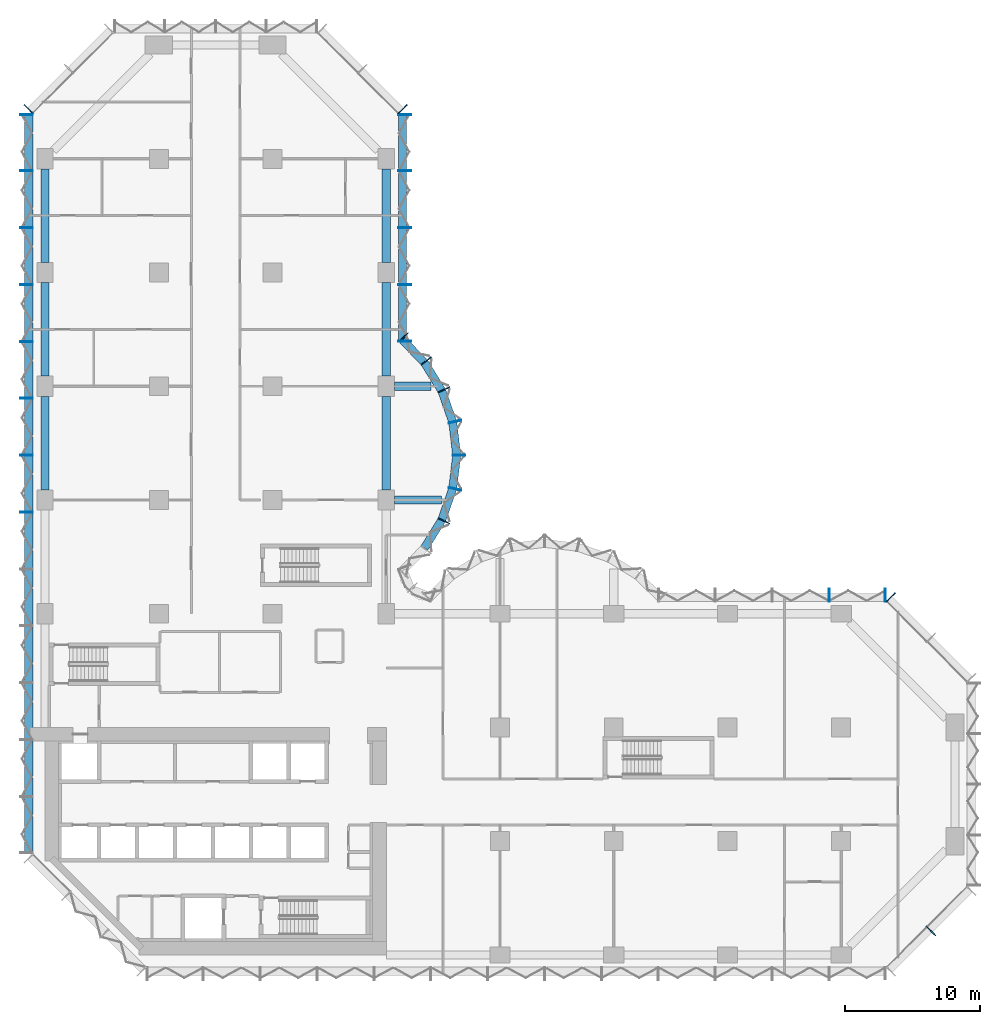
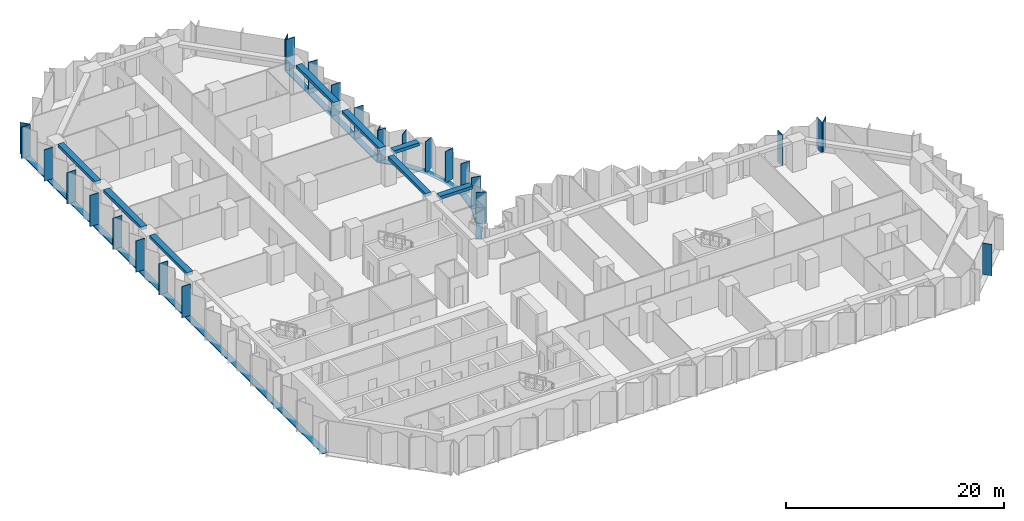
# One storey, part 3 of 15: 35 members, 8 beams, 8 elements without a shape of their own.
"""IFC4 building model written with IfcOpenShell, lengths in metres."""

from ifc_helpers import new_model, si_unit, direction, frame, origin, origin_2d, place, context, subcontext, project, spatial, rectangle, extrude, material, material_profile, profile_set, type_object, element, aggregate, save


model = new_model("IFC4")

# Units and contexts
model_context = context("Model", 3, precision=1e-05, world=origin(), true_north=direction((0.0, 1.0)))
body_context = subcontext(model_context, "Body", "Model", "MODEL_VIEW")
ifc_project = project(units=[si_unit("LENGTHUNIT", "METRE"), si_unit("AREAUNIT", "SQUARE_METRE"), si_unit("VOLUMEUNIT", "CUBIC_METRE"), si_unit("PLANEANGLEUNIT", "RADIAN"), si_unit("MASSUNIT", "GRAM", prefix="KILO")], contexts=[model_context])

# Site, building, storey
site_placement = place(None, origin())
site = spatial("IfcSite", under=ifc_project, at=site_placement, CompositionType="ELEMENT")
building_placement = place(site_placement, origin())
building = spatial("IfcBuilding", under=site, at=building_placement, Name="Brevane Broadcast Tower", CompositionType="ELEMENT")
storey_placement = place(building_placement, frame((0.0, 0.0, 65.300048828125)))
storey = spatial("IfcBuildingStorey", under=building, at=storey_placement, Name="L14", CompositionType="ELEMENT", Elevation=65.300048828125)

# Curtain wall, member
ifc_material_1 = material(Name="Aluminium 6063-T6 bronze anodised", Category="aluminium")
curtain_wall_type = type_object("IfcCurtainWallType", Name="CW-1 curtain wall", PredefinedType="NOTDEFINED", material=ifc_material_1)
curtain_wall_1_placement = place(storey_placement, origin())
curtain_wall_1 = element("IfcCurtainWall", 1, at=curtain_wall_1_placement, inside=storey, type_object=curtain_wall_type, Name="CW-1 typical tilted unit L14 south-east chamfer", PredefinedType="NOTDEFINED")
ifc_material_profile_1 = material_profile(ifc_material_1, rectangle(XDim=0.949951171875, YDim=0.070068359375, at=origin_2d()), Name="RECT 70x950")
ifc_profile_set_1 = profile_set([ifc_material_profile_1], Name="Aluminium 6063-T6 bronze anodised")
member_type_1 = type_object("IfcMemberType", Name="CW-1 mullion 70x950", PredefinedType="MULLION", material=ifc_profile_set_1)
member_1_placement = place(storey_placement, frame((65.435791015625, 1.76416015625, -0.150146484375), z_axis=(0.0, 0.0, 1.0), x_axis=(-0.707106781187, 0.707106781187, 0.0)))
member_1 = element("IfcMember", 2, at=member_1_placement, type_object=member_type_1, Name="CW-1 mullion", PredefinedType="MULLION", context=body_context, shape_type="SweptSolid", body=[
    extrude(rectangle(XDim=0.949951171875, YDim=0.070068359375, at=origin_2d()), origin(), (0.0, 0.0, 1.0), 3.5),
])
aggregate(curtain_wall_1, [member_1])

curtain_wall_2_placement = place(storey_placement, origin())
curtain_wall_2 = element("IfcCurtainWall", 3, at=curtain_wall_2_placement, inside=storey, type_object=curtain_wall_type, Name="CW-1 typical tilted unit L14 north-east chamfer", PredefinedType="NOTDEFINED")
member_2_placement = place(storey_placement, frame((62.460693359375, 26.4111328125, -0.150146484375), z_axis=(0.0, 0.0, 1.0), x_axis=(-0.707106781187, -0.707106781187, 0.0)))
member_2 = element("IfcMember", 4, at=member_2_placement, type_object=member_type_1, Name="CW-1 mullion", PredefinedType="MULLION", context=body_context, shape_type="SweptSolid", body=[
    extrude(rectangle(XDim=0.949951171875, YDim=0.070068359375, at=origin_2d()), origin(), (0.0, 0.0, 1.0), 3.5),
])
aggregate(curtain_wall_2, [member_2])

# Curtain wall, members
curtain_wall_3_placement = place(storey_placement, origin())
curtain_wall_3 = element("IfcCurtainWall", 5, at=curtain_wall_3_placement, inside=storey, type_object=curtain_wall_type, Name="CW-1 typical tilted unit L14 east arm north face", PredefinedType="NOTDEFINED")
member_3_placement = place(storey_placement, frame((62.06494140625, 26.574951171875, -0.150146484375), z_axis=(0.0, 0.0, 1.0), x_axis=(0.0, -1.0, 0.0)))
member_3 = element("IfcMember", 6, at=member_3_placement, type_object=member_type_1, Name="CW-1 mullion", PredefinedType="MULLION", context=body_context, shape_type="SweptSolid", body=[
    extrude(rectangle(XDim=0.949951171875, YDim=0.070068359375, at=origin_2d()), origin(), (0.0, 0.0, 1.0), 3.5),
])
member_4_placement = place(storey_placement, frame((57.89990234375, 26.574951171875, -0.150146484375), z_axis=(0.0, 0.0, 1.0), x_axis=(0.0, -1.0, 0.0)))
member_4 = element("IfcMember", 7, at=member_4_placement, type_object=member_type_1, Name="CW-1 mullion", PredefinedType="MULLION", context=body_context, shape_type="SweptSolid", body=[
    extrude(rectangle(XDim=0.949951171875, YDim=0.070068359375, at=origin_2d()), origin(), (0.0, 0.0, 1.0), 3.5),
])
aggregate(curtain_wall_3, [member_3, member_4])

curtain_wall_4_placement = place(storey_placement, origin())
curtain_wall_4 = element("IfcCurtainWall", 8, at=curtain_wall_4_placement, inside=storey, type_object=curtain_wall_type, Name="CW-1 typical tilted unit L14 north bow", PredefinedType="NOTDEFINED")
member_5_placement = place(storey_placement, frame((29.4580078125, 32.05322265625, -0.150146484375), z_axis=(0.0, 0.0, 1.0), x_axis=(-0.902860508933, 0.429933601163, 0.0)))
member_5 = element("IfcMember", 9, at=member_5_placement, type_object=member_type_1, Name="CW-1 mullion", PredefinedType="MULLION", context=body_context, shape_type="SweptSolid", body=[
    extrude(rectangle(XDim=0.949951171875, YDim=0.070068359375, at=origin_2d()), origin(), (0.0, 0.0, 1.0), 3.5),
])
member_6_placement = place(storey_placement, frame((30.28076171875, 34.411865234375, -0.150146484375), z_axis=(0.0, 0.0, 1.0), x_axis=(-0.974403430594, 0.224806482215, 0.0)))
member_6 = element("IfcMember", 10, at=member_6_placement, type_object=member_type_1, Name="CW-1 mullion", PredefinedType="MULLION", context=body_context, shape_type="SweptSolid", body=[
    extrude(rectangle(XDim=0.949951171875, YDim=0.070068359375, at=origin_2d()), origin(), (0.0, 0.0, 1.0), 3.5),
])
member_7_placement = place(storey_placement, frame((30.574951171875, 36.89990234375, -0.150146484375), z_axis=(0.0, 0.0, 1.0), x_axis=(-1.0, 0.0, 0.0)))
member_7 = element("IfcMember", 11, at=member_7_placement, type_object=member_type_1, Name="CW-1 mullion", PredefinedType="MULLION", context=body_context, shape_type="SweptSolid", body=[
    extrude(rectangle(XDim=0.949951171875, YDim=0.070068359375, at=origin_2d()), origin(), (0.0, 0.0, 1.0), 3.5),
])
member_8_placement = place(storey_placement, frame((30.28076171875, 39.38818359375, -0.150146484375), z_axis=(0.0, 0.0, 1.0), x_axis=(-0.974403430594, -0.224806482215, 0.0)))
member_8 = element("IfcMember", 12, at=member_8_placement, type_object=member_type_1, Name="CW-1 mullion", PredefinedType="MULLION", context=body_context, shape_type="SweptSolid", body=[
    extrude(rectangle(XDim=0.949951171875, YDim=0.070068359375, at=origin_2d()), origin(), (0.0, 0.0, 1.0), 3.5),
])
member_9_placement = place(storey_placement, frame((29.4580078125, 41.746826171875, -0.150146484375), z_axis=(0.0, 0.0, 1.0), x_axis=(-0.902860508933, -0.429933601163, 0.0)))
member_9 = element("IfcMember", 13, at=member_9_placement, type_object=member_type_1, Name="CW-1 mullion", PredefinedType="MULLION", context=body_context, shape_type="SweptSolid", body=[
    extrude(rectangle(XDim=0.949951171875, YDim=0.070068359375, at=origin_2d()), origin(), (0.0, 0.0, 1.0), 3.5),
])
member_10_placement = place(storey_placement, frame((28.1455078125, 43.8720703125, -0.150146484375), z_axis=(0.0, 0.0, 1.0), x_axis=(-0.788706642853, -0.614769738617, 0.0)))
member_10 = element("IfcMember", 14, at=member_10_placement, type_object=member_type_1, Name="CW-1 mullion", PredefinedType="MULLION", context=body_context, shape_type="SweptSolid", body=[
    extrude(rectangle(XDim=0.949951171875, YDim=0.070068359375, at=origin_2d()), origin(), (0.0, 0.0, 1.0), 3.5),
])
member_11_placement = place(storey_placement, frame((26.465087890625, 45.60595703125, -0.150146484375), z_axis=(0.0, 0.0, 1.0), x_axis=(-0.717253872699, -0.696811941702, 0.0)))
member_11 = element("IfcMember", 15, at=member_11_placement, type_object=member_type_1, Name="CW-1 mullion", PredefinedType="MULLION", context=body_context, shape_type="SweptSolid", body=[
    extrude(rectangle(XDim=0.949951171875, YDim=0.070068359375, at=origin_2d()), origin(), (0.0, 0.0, 1.0), 3.5),
])

curtain_wall_5_placement = place(storey_placement, origin())
curtain_wall_5 = element("IfcCurtainWall", 16, at=curtain_wall_5_placement, inside=storey, type_object=curtain_wall_type, Name="CW-1 typical tilted unit L14 north arm east face", PredefinedType="NOTDEFINED")
member_12_placement = place(storey_placement, frame((26.574951171875, 45.3349609375, -0.150146484375), z_axis=(0.0, 0.0, 1.0), x_axis=(-1.0, 0.0, 0.0)))
member_12 = element("IfcMember", 17, at=member_12_placement, type_object=member_type_1, Name="CW-1 mullion", PredefinedType="MULLION", context=body_context, shape_type="SweptSolid", body=[
    extrude(rectangle(XDim=0.949951171875, YDim=0.070068359375, at=origin_2d()), origin(), (0.0, 0.0, 1.0), 3.5),
])
member_13_placement = place(storey_placement, frame((26.574951171875, 49.5, -0.150146484375), z_axis=(0.0, 0.0, 1.0), x_axis=(-1.0, 0.0, 0.0)))
member_13 = element("IfcMember", 18, at=member_13_placement, type_object=member_type_1, Name="CW-1 mullion", PredefinedType="MULLION", context=body_context, shape_type="SweptSolid", body=[
    extrude(rectangle(XDim=0.949951171875, YDim=0.070068359375, at=origin_2d()), origin(), (0.0, 0.0, 1.0), 3.5),
])
member_14_placement = place(storey_placement, frame((26.574951171875, 53.699951171875, -0.150146484375), z_axis=(0.0, 0.0, 1.0), x_axis=(-1.0, 0.0, 0.0)))
member_14 = element("IfcMember", 19, at=member_14_placement, type_object=member_type_1, Name="CW-1 mullion", PredefinedType="MULLION", context=body_context, shape_type="SweptSolid", body=[
    extrude(rectangle(XDim=0.949951171875, YDim=0.070068359375, at=origin_2d()), origin(), (0.0, 0.0, 1.0), 3.5),
])
member_15_placement = place(storey_placement, frame((26.574951171875, 57.89990234375, -0.150146484375), z_axis=(0.0, 0.0, 1.0), x_axis=(-1.0, 0.0, 0.0)))
member_15 = element("IfcMember", 20, at=member_15_placement, type_object=member_type_1, Name="CW-1 mullion", PredefinedType="MULLION", context=body_context, shape_type="SweptSolid", body=[
    extrude(rectangle(XDim=0.949951171875, YDim=0.070068359375, at=origin_2d()), origin(), (0.0, 0.0, 1.0), 3.5),
])
member_16_placement = place(storey_placement, frame((26.574951171875, 62.06494140625, -0.150146484375), z_axis=(0.0, 0.0, 1.0), x_axis=(-1.0, 0.0, 0.0)))
member_16 = element("IfcMember", 21, at=member_16_placement, type_object=member_type_1, Name="CW-1 mullion", PredefinedType="MULLION", context=body_context, shape_type="SweptSolid", body=[
    extrude(rectangle(XDim=0.949951171875, YDim=0.070068359375, at=origin_2d()), origin(), (0.0, 0.0, 1.0), 3.5),
])

# Curtain wall, member
curtain_wall_6_placement = place(storey_placement, origin())
curtain_wall_6 = element("IfcCurtainWall", 22, at=curtain_wall_6_placement, inside=storey, type_object=curtain_wall_type, Name="CW-1 typical tilted unit L14 north arm north-east chamfer", PredefinedType="NOTDEFINED")
member_17_placement = place(storey_placement, frame((26.4111328125, 62.460693359375, -0.150146484375), z_axis=(0.0, 0.0, 1.0), x_axis=(-0.707106781187, -0.707106781187, 0.0)))
member_17 = element("IfcMember", 23, at=member_17_placement, type_object=member_type_1, Name="CW-1 mullion", PredefinedType="MULLION", context=body_context, shape_type="SweptSolid", body=[
    extrude(rectangle(XDim=0.949951171875, YDim=0.070068359375, at=origin_2d()), origin(), (0.0, 0.0, 1.0), 3.5),
])
aggregate(curtain_wall_6, [member_17])

curtain_wall_7_placement = place(storey_placement, origin())
curtain_wall_7 = element("IfcCurtainWall", 24, at=curtain_wall_7_placement, inside=storey, type_object=curtain_wall_type, Name="CW-1 typical tilted unit L14 north-west chamfer", PredefinedType="NOTDEFINED")
member_18_placement = place(storey_placement, frame((-1.211181640625, 62.460693359375, -0.150146484375), z_axis=(0.0, 0.0, 1.0), x_axis=(0.707106781187, -0.707106781187, 0.0)))
member_18 = element("IfcMember", 25, at=member_18_placement, type_object=member_type_1, Name="CW-1 mullion", PredefinedType="MULLION", context=body_context, shape_type="SweptSolid", body=[
    extrude(rectangle(XDim=0.949951171875, YDim=0.070068359375, at=origin_2d()), origin(), (0.0, 0.0, 1.0), 3.5),
])
aggregate(curtain_wall_7, [member_18])

# Curtain wall, members
curtain_wall_8_placement = place(storey_placement, origin())
curtain_wall_8 = element("IfcCurtainWall", 26, at=curtain_wall_8_placement, inside=storey, type_object=curtain_wall_type, Name="CW-1 typical tilted unit L14 west face", PredefinedType="NOTDEFINED")
member_19_placement = place(storey_placement, frame((-1.375, 62.06494140625, -0.150146484375), z_axis=(0.0, 0.0, 1.0), x_axis=(1.0, 0.0, 0.0)))
member_19 = element("IfcMember", 27, at=member_19_placement, type_object=member_type_1, Name="CW-1 mullion", PredefinedType="MULLION", context=body_context, shape_type="SweptSolid", body=[
    extrude(rectangle(XDim=0.949951171875, YDim=0.070068359375, at=origin_2d()), origin(), (0.0, 0.0, 1.0), 3.5),
])
member_20_placement = place(storey_placement, frame((-1.375, 57.89990234375, -0.150146484375), z_axis=(0.0, 0.0, 1.0), x_axis=(1.0, 0.0, 0.0)))
member_20 = element("IfcMember", 28, at=member_20_placement, type_object=member_type_1, Name="CW-1 mullion", PredefinedType="MULLION", context=body_context, shape_type="SweptSolid", body=[
    extrude(rectangle(XDim=0.949951171875, YDim=0.070068359375, at=origin_2d()), origin(), (0.0, 0.0, 1.0), 3.5),
])
member_21_placement = place(storey_placement, frame((-1.375, 53.699951171875, -0.150146484375), z_axis=(0.0, 0.0, 1.0), x_axis=(1.0, 0.0, 0.0)))
member_21 = element("IfcMember", 29, at=member_21_placement, type_object=member_type_1, Name="CW-1 mullion", PredefinedType="MULLION", context=body_context, shape_type="SweptSolid", body=[
    extrude(rectangle(XDim=0.949951171875, YDim=0.070068359375, at=origin_2d()), origin(), (0.0, 0.0, 1.0), 3.5),
])
member_22_placement = place(storey_placement, frame((-1.375, 49.5, -0.150146484375), z_axis=(0.0, 0.0, 1.0), x_axis=(1.0, 0.0, 0.0)))
member_22 = element("IfcMember", 30, at=member_22_placement, type_object=member_type_1, Name="CW-1 mullion", PredefinedType="MULLION", context=body_context, shape_type="SweptSolid", body=[
    extrude(rectangle(XDim=0.949951171875, YDim=0.070068359375, at=origin_2d()), origin(), (0.0, 0.0, 1.0), 3.5),
])
member_23_placement = place(storey_placement, frame((-1.375, 45.300048828125, -0.150146484375), z_axis=(0.0, 0.0, 1.0), x_axis=(1.0, 0.0, 0.0)))
member_23 = element("IfcMember", 31, at=member_23_placement, type_object=member_type_1, Name="CW-1 mullion", PredefinedType="MULLION", context=body_context, shape_type="SweptSolid", body=[
    extrude(rectangle(XDim=0.949951171875, YDim=0.070068359375, at=origin_2d()), origin(), (0.0, 0.0, 1.0), 3.5),
])
member_24_placement = place(storey_placement, frame((-1.375, 41.10009765625, -0.150146484375), z_axis=(0.0, 0.0, 1.0), x_axis=(1.0, 0.0, 0.0)))
member_24 = element("IfcMember", 32, at=member_24_placement, type_object=member_type_1, Name="CW-1 mullion", PredefinedType="MULLION", context=body_context, shape_type="SweptSolid", body=[
    extrude(rectangle(XDim=0.949951171875, YDim=0.070068359375, at=origin_2d()), origin(), (0.0, 0.0, 1.0), 3.5),
])
member_25_placement = place(storey_placement, frame((-1.375, 36.89990234375, -0.150146484375), z_axis=(0.0, 0.0, 1.0), x_axis=(1.0, 0.0, 0.0)))
member_25 = element("IfcMember", 33, at=member_25_placement, type_object=member_type_1, Name="CW-1 mullion", PredefinedType="MULLION", context=body_context, shape_type="SweptSolid", body=[
    extrude(rectangle(XDim=0.949951171875, YDim=0.070068359375, at=origin_2d()), origin(), (0.0, 0.0, 1.0), 3.5),
])
member_26_placement = place(storey_placement, frame((-1.375, 32.699951171875, -0.150146484375), z_axis=(0.0, 0.0, 1.0), x_axis=(1.0, 0.0, 0.0)))
member_26 = element("IfcMember", 34, at=member_26_placement, type_object=member_type_1, Name="CW-1 mullion", PredefinedType="MULLION", context=body_context, shape_type="SweptSolid", body=[
    extrude(rectangle(XDim=0.949951171875, YDim=0.070068359375, at=origin_2d()), origin(), (0.0, 0.0, 1.0), 3.5),
])

# Member
ifc_material_profile_2 = material_profile(ifc_material_1, rectangle(XDim=0.60009765625, YDim=0.10009765625, at=origin_2d()), Name="RECT 100x600")
ifc_profile_set_2 = profile_set([ifc_material_profile_2], Name="Aluminium 6063-T6 bronze anodised")
member_type_2 = type_object("IfcMemberType", Name="CW-1 transom 100x600", PredefinedType="USERDEFINED", material=ifc_profile_set_2)
member_27_placement = place(storey_placement, frame((28.023193359375, 30.0576171875, -0.199951171875), z_axis=(0.525427766759, 0.850838211365, 0.0), x_axis=(-0.850838211365, 0.525427766759, 0.0)))
member_27 = element("IfcMember", 35, at=member_27_placement, type_object=member_type_2, Name="CW-1 transom", ObjectType="TRANSOM", PredefinedType="USERDEFINED", context=body_context, shape_type="SweptSolid", body=[
    extrude(rectangle(XDim=0.60009765625, YDim=0.10009765625, at=origin_2d()), origin(), (0.0, 0.0, 1.0), 2.394775390625),
])

member_28_placement = place(storey_placement, frame((29.314208984375, 32.163818359375, -0.199951171875), z_axis=(0.329378497041, 0.944197969542, 0.0), x_axis=(-0.944197969542, 0.329378497041, 0.0)))
member_28 = element("IfcMember", 36, at=member_28_placement, type_object=member_type_2, Name="CW-1 transom", ObjectType="TRANSOM", PredefinedType="USERDEFINED", context=body_context, shape_type="SweptSolid", body=[
    extrude(rectangle(XDim=0.60009765625, YDim=0.10009765625, at=origin_2d()), origin(), (0.0, 0.0, 1.0), 2.394775390625),
])

member_29_placement = place(storey_placement, frame((30.117431640625, 34.499755859375, -0.199951171875), z_axis=(0.117603307202, 0.993060653805, 0.0), x_axis=(-0.993060653805, 0.117603307202, 0.0)))
member_29 = element("IfcMember", 37, at=member_29_placement, type_object=member_type_2, Name="CW-1 transom", ObjectType="TRANSOM", PredefinedType="USERDEFINED", context=body_context, shape_type="SweptSolid", body=[
    extrude(rectangle(XDim=0.60009765625, YDim=0.10009765625, at=origin_2d()), origin(), (0.0, 0.0, 1.0), 2.397705078125),
])

member_30_placement = place(storey_placement, frame((30.3994140625, 36.9189453125, -0.199951171875), z_axis=(-0.117591417, 0.993062061831, 0.0), x_axis=(-0.993062061831, -0.117591417, 0.0)))
member_30 = element("IfcMember", 38, at=member_30_placement, type_object=member_type_2, Name="CW-1 transom", ObjectType="TRANSOM", PredefinedType="USERDEFINED", context=body_context, shape_type="SweptSolid", body=[
    extrude(rectangle(XDim=0.60009765625, YDim=0.10009765625, at=origin_2d()), origin(), (0.0, 0.0, 1.0), 2.39794921875),
])

member_31_placement = place(storey_placement, frame((30.10302734375, 39.375, -0.199951171875), z_axis=(-0.329378497041, 0.944197969542, 0.0), x_axis=(-0.944197969542, -0.329378497041, 0.0)))
member_31 = element("IfcMember", 39, at=member_31_placement, type_object=member_type_2, Name="CW-1 transom", ObjectType="TRANSOM", PredefinedType="USERDEFINED", context=body_context, shape_type="SweptSolid", body=[
    extrude(rectangle(XDim=0.60009765625, YDim=0.10009765625, at=origin_2d()), origin(), (0.0, 0.0, 1.0), 2.394775390625),
])

member_32_placement = place(storey_placement, frame((29.281494140625, 41.704833984375, -0.199951171875), z_axis=(-0.525473345162, 0.850810063131, 0.0), x_axis=(-0.850810063131, -0.525473345162, 0.0)))
member_32 = element("IfcMember", 40, at=member_32_placement, type_object=member_type_2, Name="CW-1 transom", ObjectType="TRANSOM", PredefinedType="USERDEFINED", context=body_context, shape_type="SweptSolid", body=[
    extrude(rectangle(XDim=0.60009765625, YDim=0.10009765625, at=origin_2d()), origin(), (0.0, 0.0, 1.0), 2.39453125),
])

member_33_placement = place(storey_placement, frame((27.974365234375, 43.800537109375, -0.199951171875), z_axis=(-0.696823999134, 0.71724215871, 0.0), x_axis=(-0.71724215871, -0.696823999134, 0.0)))
member_33 = element("IfcMember", 41, at=member_33_placement, type_object=member_type_2, Name="CW-1 transom", ObjectType="TRANSOM", PredefinedType="USERDEFINED", context=body_context, shape_type="SweptSolid", body=[
    extrude(rectangle(XDim=0.60009765625, YDim=0.10009765625, at=origin_2d()), origin(), (0.0, 0.0, 1.0), 2.247802734375),
])

aggregate(curtain_wall_4, [member_5, member_6, member_7, member_8, member_9, member_10, member_11, member_27, member_28, member_29, member_30, member_31, member_32, member_33])

member_34_placement = place(storey_placement, frame((26.39990234375, 45.300048828125, -0.199951171875), z_axis=(0.0, 1.0, 0.0), x_axis=(-1.0, 0.0, 0.0)))
member_34 = element("IfcMember", 42, at=member_34_placement, type_object=member_type_2, Name="CW-1 transom", ObjectType="TRANSOM", PredefinedType="USERDEFINED", context=body_context, shape_type="SweptSolid", body=[
    extrude(rectangle(XDim=0.60009765625, YDim=0.10009765625, at=origin_2d()), origin(), (0.0, 0.0, 1.0), 16.800048828125),
])

aggregate(curtain_wall_5, [member_12, member_13, member_14, member_15, member_16, member_34])

member_35_placement = place(storey_placement, frame((-1.199951171875, 62.10009765625, -0.199951171875), z_axis=(0.0, -1.0, 0.0), x_axis=(1.0, 0.0, 0.0)))
member_35 = element("IfcMember", 43, at=member_35_placement, type_object=member_type_2, Name="CW-1 transom", ObjectType="TRANSOM", PredefinedType="USERDEFINED", context=body_context, shape_type="SweptSolid", body=[
    extrude(rectangle(XDim=0.60009765625, YDim=0.10009765625, at=origin_2d()), origin(), (0.0, 0.0, 1.0), 54.60009765625),
])

aggregate(curtain_wall_8, [member_19, member_20, member_21, member_22, member_23, member_24, member_25, member_26, member_35])

# Beams
ifc_material_2 = material(Name="Concrete C40/50", Category="concrete")
ifc_material_profile_3 = material_profile(ifc_material_2, rectangle(XDim=0.60009765625, YDim=0.35009765625, at=origin_2d()), Name="RC 600x350")
ifc_profile_set_3 = profile_set([ifc_material_profile_3], Name="Concrete C40/50")
beam_type_1 = type_object("IfcBeamType", Name="RC BRACKET BEAM 600x350 C40/50", PredefinedType="BEAM", material=ifc_profile_set_3)
beam_1_placement = place(storey_placement, frame((25.800048828125, 33.60009765625, 3.175048828125), z_axis=(1.0, 0.0, 0.0), x_axis=(0.0, 1.0, 0.0)))
element("IfcBeam", 44, at=beam_1_placement, inside=storey, type_object=beam_type_1, Name="EB2 L14-1", PredefinedType="BEAM", context=body_context, shape_type="SweptSolid", body=[
    extrude(rectangle(XDim=0.60009765625, YDim=0.35009765625, at=origin_2d()), origin(), (0.0, 0.0, 1.0), 3.4619140625),
])
beam_2_placement = place(storey_placement, frame((25.800048828125, 42.0, 3.175048828125), z_axis=(1.0, 0.0, 0.0), x_axis=(0.0, 1.0, 0.0)))
element("IfcBeam", 45, at=beam_2_placement, inside=storey, type_object=beam_type_1, Name="EB2 L14-2", PredefinedType="BEAM", context=body_context, shape_type="SweptSolid", body=[
    extrude(rectangle(XDim=0.60009765625, YDim=0.35009765625, at=origin_2d()), origin(), (0.0, 0.0, 1.0), 2.71142578125),
])
ifc_material_profile_4 = material_profile(ifc_material_2, rectangle(XDim=0.60009765625, YDim=0.35009765625, at=origin_2d()), Name="RC 600x350")
ifc_profile_set_4 = profile_set([ifc_material_profile_4], Name="Concrete C40/50")
beam_type_2 = type_object("IfcBeamType", Name="RC SPANDREL BEAM 600x350 C40/50", PredefinedType="SPANDREL", material=ifc_profile_set_4)
for number, where, z_axis, x_axis, name in (
    (46, (25.199951171875, 34.35009765625, 3.175048828125), (0.0, 1.0, 0.0), (-1.0, 0.0, 0.0), "EB1 L14-13"),
    (47, (25.199951171875, 42.75, 3.175048828125), (0.0, 1.0, 0.0), (-1.0, 0.0, 0.0), "EB1 L14-14"),
):
    element("IfcBeam", number, at=place(storey_placement, frame(where, z_axis=z_axis, x_axis=x_axis)), inside=storey, type_object=beam_type_2, Name=name, PredefinedType="SPANDREL", context=body_context, shape_type="SweptSolid", body=[
        extrude(rectangle(XDim=0.60009765625, YDim=0.35009765625, at=origin_2d()), origin(), (0.0, 0.0, 1.0), 6.89990234375),
    ])
for number, where, z_axis, x_axis, name in (
    (48, (25.199951171875, 51.14990234375, 3.175048828125), (0.0, 1.0, 0.0), (-1.0, 0.0, 0.0), "EB1 L14-15"),
    (49, (0.0, 58.050048828125, 3.175048828125), (0.0, -1.0, 0.0), (1.0, 0.0, 0.0), "EB1 L14-19"),
):
    element("IfcBeam", number, at=place(storey_placement, frame(where, z_axis=z_axis, x_axis=x_axis)), inside=storey, type_object=beam_type_2, Name=name, PredefinedType="SPANDREL", context=body_context, shape_type="SweptSolid", body=[
        extrude(rectangle(XDim=0.60009765625, YDim=0.35009765625, at=origin_2d()), origin(), (0.0, 0.0, 1.0), 6.900146484375),
    ])
for number, where, z_axis, x_axis, name in (
    (50, (0.0, 49.64990234375, 3.175048828125), (0.0, -1.0, 0.0), (1.0, 0.0, 0.0), "EB1 L14-20"),
    (51, (0.0, 41.25, 3.175048828125), (0.0, -1.0, 0.0), (1.0, 0.0, 0.0), "EB1 L14-21"),
):
    element("IfcBeam", number, at=place(storey_placement, frame(where, z_axis=z_axis, x_axis=x_axis)), inside=storey, type_object=beam_type_2, Name=name, PredefinedType="SPANDREL", context=body_context, shape_type="SweptSolid", body=[
        extrude(rectangle(XDim=0.60009765625, YDim=0.35009765625, at=origin_2d()), origin(), (0.0, 0.0, 1.0), 6.89990234375),
    ])

save(model, "model.ifc")
